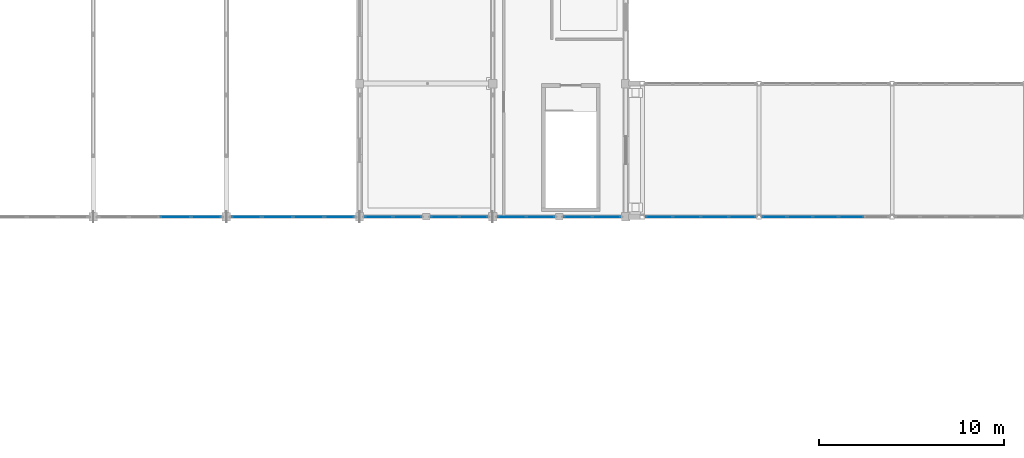
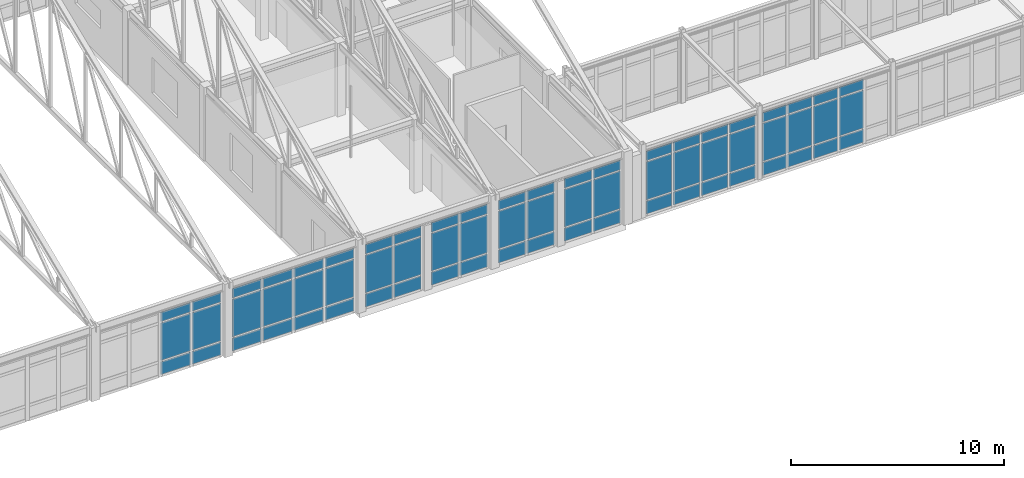
# One storey, part 79 of 136: 66 plates, 8 elements without a shape of their own.
"""IFC4 building model written with IfcOpenShell, lengths in metres."""

from ifc_helpers import new_model, si_unit, direction, frame, origin, origin_2d, place, context, subcontext, project, spatial, rectangle, extrude, material, layer, layer_set, type_object, element, aggregate, save


model = new_model("IFC4")

# Units and contexts
model_context = context("Model", 3, precision=1e-05, world=origin(), true_north=direction((0.0, 1.0)))
body_context = subcontext(model_context, "Body", "Model", "MODEL_VIEW")
ifc_project = project(units=[si_unit("LENGTHUNIT", "METRE"), si_unit("AREAUNIT", "SQUARE_METRE"), si_unit("VOLUMEUNIT", "CUBIC_METRE"), si_unit("PLANEANGLEUNIT", "RADIAN"), si_unit("MASSUNIT", "GRAM", prefix="KILO")], contexts=[model_context])

# Site, building, storey
site_placement = place(None, origin())
site = spatial("IfcSite", under=ifc_project, at=site_placement, CompositionType="ELEMENT")
building_placement = place(site_placement, origin())
building = spatial("IfcBuilding", under=site, at=building_placement, Name="Koriwan Promenade Central Fire Station", CompositionType="ELEMENT")
storey_placement = place(building_placement, frame((0.0, 0.0, 5.39990234375)))
storey = spatial("IfcBuildingStorey", under=building, at=storey_placement, Name="L01", CompositionType="ELEMENT", Elevation=5.39990234375)

# Curtain wall, plates
ifc_material_1 = material(Name="Aluminium EN AW-6063-T6 and low-E glazing", Category="aluminium")
ifc_layer_1 = layer(ifc_material_1, 0.159912109375, Name="Aluminium EN AW-6063-T6 and low-E glazing")
ifc_layer_set_1 = layer_set([ifc_layer_1], Name="Aluminium EN AW-6063-T6 and low-E glazing")
curtain_wall_type_1 = type_object("IfcCurtainWallType", Name="CurtainWall_93_675x372", PredefinedType="USERDEFINED", material=ifc_layer_set_1)
curtain_wall_1_placement = place(storey_placement, origin())
curtain_wall_1 = element("IfcCurtainWall", 1, at=curtain_wall_1_placement, inside=storey, type_object=curtain_wall_type_1, Name="V1 L01 unitised curtain wall 295", ObjectType="UNITISED CURTAIN WALL", PredefinedType="USERDEFINED")
ifc_material_2 = material(Name="Low-E laminated double glazing", Category="glass")
ifc_layer_2 = layer(ifc_material_2, 0.028076171875, Name="Low-E laminated double glazing")
ifc_layer_set_2 = layer_set([ifc_layer_2], Name="Low-E laminated double glazing")
plate_type_1 = type_object("IfcPlateType", Name="CWPanel_28", PredefinedType="CURTAIN_PANEL", material=ifc_layer_set_2)
plate_1_placement = place(storey_placement, frame((90.84375, 43.199951171875, 0.080078125), z_axis=(0.0, 0.0, 1.0), x_axis=(1.0, 0.0, 0.0)))
plate_1 = element("IfcPlate", 2, at=plate_1_placement, type_object=plate_type_1, Name="CW-93 panel 3.1", PredefinedType="CURTAIN_PANEL", context=body_context, shape_type="SweptSolid", body=[
    extrude(rectangle(XDim=1.607421875, YDim=0.028076171875, at=origin_2d()), origin(), (0.0, 0.0, 1.0), 0.72998046875),
])
plate_2_placement = place(storey_placement, frame((90.84375, 43.199951171875, 0.89013671875), z_axis=(0.0, 0.0, 1.0), x_axis=(1.0, 0.0, 0.0)))
plate_2 = element("IfcPlate", 3, at=plate_2_placement, type_object=plate_type_1, Name="CW-93 panel 3.2", PredefinedType="CURTAIN_PANEL", context=body_context, shape_type="SweptSolid", body=[
    extrude(rectangle(XDim=1.607421875, YDim=0.028076171875, at=origin_2d()), origin(), (0.0, 0.0, 1.0), 2.14111328125),
])
plate_3_placement = place(storey_placement, frame((90.84375, 43.199951171875, 3.11083984375), z_axis=(0.0, 0.0, 1.0), x_axis=(1.0, 0.0, 0.0)))
plate_3 = element("IfcPlate", 4, at=plate_3_placement, type_object=plate_type_1, Name="CW-93 panel 3.3", PredefinedType="CURTAIN_PANEL", context=body_context, shape_type="SweptSolid", body=[
    extrude(rectangle(XDim=1.607421875, YDim=0.028076171875, at=origin_2d()), origin(), (0.0, 0.0, 1.0), 0.530029296875),
])
plate_4_placement = place(storey_placement, frame((92.51123046875, 43.199951171875, 0.080078125), z_axis=(0.0, 0.0, 1.0), x_axis=(1.0, 0.0, 0.0)))
plate_4 = element("IfcPlate", 5, at=plate_4_placement, type_object=plate_type_1, Name="CW-93 panel 4.1", PredefinedType="CURTAIN_PANEL", context=body_context, shape_type="SweptSolid", body=[
    extrude(rectangle(XDim=1.5673828125, YDim=0.028076171875, at=origin_2d()), origin(), (0.0, 0.0, 1.0), 0.72998046875),
])
plate_5_placement = place(storey_placement, frame((92.51123046875, 43.199951171875, 0.89013671875), z_axis=(0.0, 0.0, 1.0), x_axis=(1.0, 0.0, 0.0)))
plate_5 = element("IfcPlate", 6, at=plate_5_placement, type_object=plate_type_1, Name="CW-93 panel 4.2", PredefinedType="CURTAIN_PANEL", context=body_context, shape_type="SweptSolid", body=[
    extrude(rectangle(XDim=1.5673828125, YDim=0.028076171875, at=origin_2d()), origin(), (0.0, 0.0, 1.0), 2.14111328125),
])
plate_6_placement = place(storey_placement, frame((92.51123046875, 43.199951171875, 3.11083984375), z_axis=(0.0, 0.0, 1.0), x_axis=(1.0, 0.0, 0.0)))
plate_6 = element("IfcPlate", 7, at=plate_6_placement, type_object=plate_type_1, Name="CW-93 panel 4.3", PredefinedType="CURTAIN_PANEL", context=body_context, shape_type="SweptSolid", body=[
    extrude(rectangle(XDim=1.5673828125, YDim=0.028076171875, at=origin_2d()), origin(), (0.0, 0.0, 1.0), 0.530029296875),
])
aggregate(curtain_wall_1, [plate_1, plate_2, plate_3, plate_4, plate_5, plate_6])

curtain_wall_2_placement = place(storey_placement, origin())
curtain_wall_2 = element("IfcCurtainWall", 8, at=curtain_wall_2_placement, inside=storey, type_object=curtain_wall_type_1, Name="V1 L01 unitised curtain wall 297", ObjectType="UNITISED CURTAIN WALL", PredefinedType="USERDEFINED")
plate_7_placement = place(storey_placement, frame((94.688720703125, 43.199951171875, 0.080078125), z_axis=(0.0, 0.0, 1.0), x_axis=(1.0, 0.0, 0.0)))
plate_7 = element("IfcPlate", 9, at=plate_7_placement, type_object=plate_type_1, Name="CW-93 panel 1.1", PredefinedType="CURTAIN_PANEL", context=body_context, shape_type="SweptSolid", body=[
    extrude(rectangle(XDim=1.5673828125, YDim=0.028076171875, at=origin_2d()), origin(), (0.0, 0.0, 1.0), 0.72998046875),
])
plate_8_placement = place(storey_placement, frame((94.688720703125, 43.199951171875, 0.89013671875), z_axis=(0.0, 0.0, 1.0), x_axis=(1.0, 0.0, 0.0)))
plate_8 = element("IfcPlate", 10, at=plate_8_placement, type_object=plate_type_1, Name="CW-93 panel 1.2", PredefinedType="CURTAIN_PANEL", context=body_context, shape_type="SweptSolid", body=[
    extrude(rectangle(XDim=1.5673828125, YDim=0.028076171875, at=origin_2d()), origin(), (0.0, 0.0, 1.0), 2.14111328125),
])
plate_9_placement = place(storey_placement, frame((94.688720703125, 43.199951171875, 3.11083984375), z_axis=(0.0, 0.0, 1.0), x_axis=(1.0, 0.0, 0.0)))
plate_9 = element("IfcPlate", 11, at=plate_9_placement, type_object=plate_type_1, Name="CW-93 panel 1.3", PredefinedType="CURTAIN_PANEL", context=body_context, shape_type="SweptSolid", body=[
    extrude(rectangle(XDim=1.5673828125, YDim=0.028076171875, at=origin_2d()), origin(), (0.0, 0.0, 1.0), 0.530029296875),
])
plate_10_placement = place(storey_placement, frame((96.356201171875, 43.199951171875, 0.080078125), z_axis=(0.0, 0.0, 1.0), x_axis=(1.0, 0.0, 0.0)))
plate_10 = element("IfcPlate", 12, at=plate_10_placement, type_object=plate_type_1, Name="CW-93 panel 2.1", PredefinedType="CURTAIN_PANEL", context=body_context, shape_type="SweptSolid", body=[
    extrude(rectangle(XDim=1.607421875, YDim=0.028076171875, at=origin_2d()), origin(), (0.0, 0.0, 1.0), 0.72998046875),
])
plate_11_placement = place(storey_placement, frame((96.356201171875, 43.199951171875, 0.89013671875), z_axis=(0.0, 0.0, 1.0), x_axis=(1.0, 0.0, 0.0)))
plate_11 = element("IfcPlate", 13, at=plate_11_placement, type_object=plate_type_1, Name="CW-93 panel 2.2", PredefinedType="CURTAIN_PANEL", context=body_context, shape_type="SweptSolid", body=[
    extrude(rectangle(XDim=1.607421875, YDim=0.028076171875, at=origin_2d()), origin(), (0.0, 0.0, 1.0), 2.14111328125),
])
plate_12_placement = place(storey_placement, frame((96.356201171875, 43.199951171875, 3.11083984375), z_axis=(0.0, 0.0, 1.0), x_axis=(1.0, 0.0, 0.0)))
plate_12 = element("IfcPlate", 14, at=plate_12_placement, type_object=plate_type_1, Name="CW-93 panel 2.3", PredefinedType="CURTAIN_PANEL", context=body_context, shape_type="SweptSolid", body=[
    extrude(rectangle(XDim=1.607421875, YDim=0.028076171875, at=origin_2d()), origin(), (0.0, 0.0, 1.0), 0.530029296875),
])
plate_13_placement = place(storey_placement, frame((98.043701171875, 43.199951171875, 0.080078125), z_axis=(0.0, 0.0, 1.0), x_axis=(1.0, 0.0, 0.0)))
plate_13 = element("IfcPlate", 15, at=plate_13_placement, type_object=plate_type_1, Name="CW-93 panel 3.1", PredefinedType="CURTAIN_PANEL", context=body_context, shape_type="SweptSolid", body=[
    extrude(rectangle(XDim=1.607421875, YDim=0.028076171875, at=origin_2d()), origin(), (0.0, 0.0, 1.0), 0.72998046875),
])
plate_14_placement = place(storey_placement, frame((98.043701171875, 43.199951171875, 0.89013671875), z_axis=(0.0, 0.0, 1.0), x_axis=(1.0, 0.0, 0.0)))
plate_14 = element("IfcPlate", 16, at=plate_14_placement, type_object=plate_type_1, Name="CW-93 panel 3.2", PredefinedType="CURTAIN_PANEL", context=body_context, shape_type="SweptSolid", body=[
    extrude(rectangle(XDim=1.607421875, YDim=0.028076171875, at=origin_2d()), origin(), (0.0, 0.0, 1.0), 2.14111328125),
])
plate_15_placement = place(storey_placement, frame((98.043701171875, 43.199951171875, 3.11083984375), z_axis=(0.0, 0.0, 1.0), x_axis=(1.0, 0.0, 0.0)))
plate_15 = element("IfcPlate", 17, at=plate_15_placement, type_object=plate_type_1, Name="CW-93 panel 3.3", PredefinedType="CURTAIN_PANEL", context=body_context, shape_type="SweptSolid", body=[
    extrude(rectangle(XDim=1.607421875, YDim=0.028076171875, at=origin_2d()), origin(), (0.0, 0.0, 1.0), 0.530029296875),
])
plate_16_placement = place(storey_placement, frame((99.711181640625, 43.199951171875, 0.080078125), z_axis=(0.0, 0.0, 1.0), x_axis=(1.0, 0.0, 0.0)))
plate_16 = element("IfcPlate", 18, at=plate_16_placement, type_object=plate_type_1, Name="CW-93 panel 4.1", PredefinedType="CURTAIN_PANEL", context=body_context, shape_type="SweptSolid", body=[
    extrude(rectangle(XDim=1.5673828125, YDim=0.028076171875, at=origin_2d()), origin(), (0.0, 0.0, 1.0), 0.72998046875),
])
plate_17_placement = place(storey_placement, frame((99.711181640625, 43.199951171875, 0.89013671875), z_axis=(0.0, 0.0, 1.0), x_axis=(1.0, 0.0, 0.0)))
plate_17 = element("IfcPlate", 19, at=plate_17_placement, type_object=plate_type_1, Name="CW-93 panel 4.2", PredefinedType="CURTAIN_PANEL", context=body_context, shape_type="SweptSolid", body=[
    extrude(rectangle(XDim=1.5673828125, YDim=0.028076171875, at=origin_2d()), origin(), (0.0, 0.0, 1.0), 2.14111328125),
])
plate_18_placement = place(storey_placement, frame((99.711181640625, 43.199951171875, 3.11083984375), z_axis=(0.0, 0.0, 1.0), x_axis=(1.0, 0.0, 0.0)))
plate_18 = element("IfcPlate", 20, at=plate_18_placement, type_object=plate_type_1, Name="CW-93 panel 4.3", PredefinedType="CURTAIN_PANEL", context=body_context, shape_type="SweptSolid", body=[
    extrude(rectangle(XDim=1.5673828125, YDim=0.028076171875, at=origin_2d()), origin(), (0.0, 0.0, 1.0), 0.530029296875),
])
aggregate(curtain_wall_2, [plate_7, plate_8, plate_9, plate_10, plate_11, plate_12, plate_13, plate_14, plate_15, plate_16, plate_17, plate_18])

ifc_layer_3 = layer(ifc_material_1, 0.159912109375, Name="Aluminium EN AW-6063-T6 and low-E glazing")
ifc_layer_set_3 = layer_set([ifc_layer_3], Name="Aluminium EN AW-6063-T6 and low-E glazing")
curtain_wall_type_2 = type_object("IfcCurtainWallType", Name="CurtainWall_01_317x372", PredefinedType="USERDEFINED", material=ifc_layer_set_3)
curtain_wall_3_placement = place(storey_placement, origin())
curtain_wall_3 = element("IfcCurtainWall", 21, at=curtain_wall_3_placement, inside=storey, type_object=curtain_wall_type_2, Name="V1 L01 unitised curtain wall 009", ObjectType="UNITISED CURTAIN WALL", PredefinedType="USERDEFINED")
ifc_material_3 = material(Name="Solar-control low-E acoustic glazing", Category="glass")
ifc_layer_4 = layer(ifc_material_3, 0.031982421875, Name="Solar-control low-E acoustic glazing")
ifc_layer_set_4 = layer_set([ifc_layer_4], Name="Solar-control low-E acoustic glazing")
plate_type_2 = type_object("IfcPlateType", Name="CWPanel_32", PredefinedType="CURTAIN_PANEL", material=ifc_layer_set_4)
plate_19_placement = place(storey_placement, frame((114.16259765625, 43.199951171875, 0.0751953125), z_axis=(0.0, 0.0, 1.0), x_axis=(-1.0, 0.0, 0.0)))
plate_19 = element("IfcPlate", 22, at=plate_19_placement, type_object=plate_type_2, Name="CW-01 panel 1.1", PredefinedType="CURTAIN_PANEL", context=body_context, shape_type="SweptSolid", body=[
    extrude(rectangle(XDim=1.47509765625, YDim=0.031982421875, at=origin_2d()), origin(), (0.0, 0.0, 1.0), 0.737548828125),
])
plate_20_placement = place(storey_placement, frame((114.16259765625, 43.199951171875, 0.8876953125), z_axis=(0.0, 0.0, 1.0), x_axis=(-1.0, 0.0, 0.0)))
plate_20 = element("IfcPlate", 23, at=plate_20_placement, type_object=plate_type_2, Name="CW-01 panel 1.2", PredefinedType="CURTAIN_PANEL", context=body_context, shape_type="SweptSolid", body=[
    extrude(rectangle(XDim=1.47509765625, YDim=0.031982421875, at=origin_2d()), origin(), (0.0, 0.0, 1.0), 2.14599609375),
])
plate_21_placement = place(storey_placement, frame((114.16259765625, 43.199951171875, 3.108642578125), z_axis=(0.0, 0.0, 1.0), x_axis=(-1.0, 0.0, 0.0)))
plate_21 = element("IfcPlate", 24, at=plate_21_placement, type_object=plate_type_2, Name="CW-01 panel 1.3", PredefinedType="CURTAIN_PANEL", context=body_context, shape_type="SweptSolid", body=[
    extrude(rectangle(XDim=1.47509765625, YDim=0.031982421875, at=origin_2d()), origin(), (0.0, 0.0, 1.0), 0.53759765625),
])
plate_22_placement = place(storey_placement, frame((112.612548828125, 43.199951171875, 0.0751953125), z_axis=(0.0, 0.0, 1.0), x_axis=(-1.0, 0.0, 0.0)))
plate_22 = element("IfcPlate", 25, at=plate_22_placement, type_object=plate_type_2, Name="CW-01 panel 2.1", PredefinedType="CURTAIN_PANEL", context=body_context, shape_type="SweptSolid", body=[
    extrude(rectangle(XDim=1.47509765625, YDim=0.031982421875, at=origin_2d()), origin(), (0.0, 0.0, 1.0), 0.737548828125),
])
plate_23_placement = place(storey_placement, frame((112.612548828125, 43.199951171875, 0.8876953125), z_axis=(0.0, 0.0, 1.0), x_axis=(-1.0, 0.0, 0.0)))
plate_23 = element("IfcPlate", 26, at=plate_23_placement, type_object=plate_type_2, Name="CW-01 panel 2.2", PredefinedType="CURTAIN_PANEL", context=body_context, shape_type="SweptSolid", body=[
    extrude(rectangle(XDim=1.47509765625, YDim=0.031982421875, at=origin_2d()), origin(), (0.0, 0.0, 1.0), 2.14599609375),
])
plate_24_placement = place(storey_placement, frame((112.612548828125, 43.199951171875, 3.108642578125), z_axis=(0.0, 0.0, 1.0), x_axis=(-1.0, 0.0, 0.0)))
plate_24 = element("IfcPlate", 27, at=plate_24_placement, type_object=plate_type_2, Name="CW-01 panel 2.3", PredefinedType="CURTAIN_PANEL", context=body_context, shape_type="SweptSolid", body=[
    extrude(rectangle(XDim=1.47509765625, YDim=0.031982421875, at=origin_2d()), origin(), (0.0, 0.0, 1.0), 0.53759765625),
])
aggregate(curtain_wall_3, [plate_19, plate_20, plate_21, plate_22, plate_23, plate_24])

ifc_layer_5 = layer(ifc_material_1, 0.159912109375, Name="Aluminium EN AW-6063-T6 and low-E glazing")
ifc_layer_set_5 = layer_set([ifc_layer_5], Name="Aluminium EN AW-6063-T6 and low-E glazing")
curtain_wall_type_3 = type_object("IfcCurtainWallType", Name="CurtainWall_02_318x372", PredefinedType="USERDEFINED", material=ifc_layer_set_5)
curtain_wall_4_placement = place(storey_placement, origin())
curtain_wall_4 = element("IfcCurtainWall", 28, at=curtain_wall_4_placement, inside=storey, type_object=curtain_wall_type_3, Name="V1 L01 unitised curtain wall 010", ObjectType="UNITISED CURTAIN WALL", PredefinedType="USERDEFINED")
plate_25_placement = place(storey_placement, frame((110.58740234375, 43.199951171875, 0.0751953125), z_axis=(0.0, 0.0, 1.0), x_axis=(-1.0, 0.0, 0.0)))
plate_25 = element("IfcPlate", 29, at=plate_25_placement, type_object=plate_type_2, Name="CW-02 panel 1.1", PredefinedType="CURTAIN_PANEL", context=body_context, shape_type="SweptSolid", body=[
    extrude(rectangle(XDim=1.47509765625, YDim=0.031982421875, at=origin_2d()), origin(), (0.0, 0.0, 1.0), 0.737548828125),
])
plate_26_placement = place(storey_placement, frame((110.58740234375, 43.199951171875, 0.8876953125), z_axis=(0.0, 0.0, 1.0), x_axis=(-1.0, 0.0, 0.0)))
plate_26 = element("IfcPlate", 30, at=plate_26_placement, type_object=plate_type_2, Name="CW-02 panel 1.2", PredefinedType="CURTAIN_PANEL", context=body_context, shape_type="SweptSolid", body=[
    extrude(rectangle(XDim=1.47509765625, YDim=0.031982421875, at=origin_2d()), origin(), (0.0, 0.0, 1.0), 2.14599609375),
])
plate_27_placement = place(storey_placement, frame((110.58740234375, 43.199951171875, 3.108642578125), z_axis=(0.0, 0.0, 1.0), x_axis=(-1.0, 0.0, 0.0)))
plate_27 = element("IfcPlate", 31, at=plate_27_placement, type_object=plate_type_2, Name="CW-02 panel 1.3", PredefinedType="CURTAIN_PANEL", context=body_context, shape_type="SweptSolid", body=[
    extrude(rectangle(XDim=1.47509765625, YDim=0.031982421875, at=origin_2d()), origin(), (0.0, 0.0, 1.0), 0.53759765625),
])
plate_28_placement = place(storey_placement, frame((109.03759765625, 43.199951171875, 0.0751953125), z_axis=(0.0, 0.0, 1.0), x_axis=(-1.0, 0.0, 0.0)))
plate_28 = element("IfcPlate", 32, at=plate_28_placement, type_object=plate_type_2, Name="CW-02 panel 2.1", PredefinedType="CURTAIN_PANEL", context=body_context, shape_type="SweptSolid", body=[
    extrude(rectangle(XDim=1.47509765625, YDim=0.031982421875, at=origin_2d()), origin(), (0.0, 0.0, 1.0), 0.737548828125),
])
plate_29_placement = place(storey_placement, frame((109.03759765625, 43.199951171875, 0.8876953125), z_axis=(0.0, 0.0, 1.0), x_axis=(-1.0, 0.0, 0.0)))
plate_29 = element("IfcPlate", 33, at=plate_29_placement, type_object=plate_type_2, Name="CW-02 panel 2.2", PredefinedType="CURTAIN_PANEL", context=body_context, shape_type="SweptSolid", body=[
    extrude(rectangle(XDim=1.47509765625, YDim=0.031982421875, at=origin_2d()), origin(), (0.0, 0.0, 1.0), 2.14599609375),
])
plate_30_placement = place(storey_placement, frame((109.03759765625, 43.199951171875, 3.108642578125), z_axis=(0.0, 0.0, 1.0), x_axis=(-1.0, 0.0, 0.0)))
plate_30 = element("IfcPlate", 34, at=plate_30_placement, type_object=plate_type_2, Name="CW-02 panel 2.3", PredefinedType="CURTAIN_PANEL", context=body_context, shape_type="SweptSolid", body=[
    extrude(rectangle(XDim=1.47509765625, YDim=0.031982421875, at=origin_2d()), origin(), (0.0, 0.0, 1.0), 0.53759765625),
])
aggregate(curtain_wall_4, [plate_25, plate_26, plate_27, plate_28, plate_29, plate_30])

curtain_wall_5_placement = place(storey_placement, origin())
curtain_wall_5 = element("IfcCurtainWall", 35, at=curtain_wall_5_placement, inside=storey, type_object=curtain_wall_type_3, Name="V1 L01 unitised curtain wall 011", ObjectType="UNITISED CURTAIN WALL", PredefinedType="USERDEFINED")
plate_31_placement = place(storey_placement, frame((106.96240234375, 43.199951171875, 0.0751953125), z_axis=(0.0, 0.0, 1.0), x_axis=(-1.0, 0.0, 0.0)))
plate_31 = element("IfcPlate", 36, at=plate_31_placement, type_object=plate_type_2, Name="CW-02 panel 1.1", PredefinedType="CURTAIN_PANEL", context=body_context, shape_type="SweptSolid", body=[
    extrude(rectangle(XDim=1.47509765625, YDim=0.031982421875, at=origin_2d()), origin(), (0.0, 0.0, 1.0), 0.737548828125),
])
plate_32_placement = place(storey_placement, frame((106.96240234375, 43.199951171875, 0.8876953125), z_axis=(0.0, 0.0, 1.0), x_axis=(-1.0, 0.0, 0.0)))
plate_32 = element("IfcPlate", 37, at=plate_32_placement, type_object=plate_type_2, Name="CW-02 panel 1.2", PredefinedType="CURTAIN_PANEL", context=body_context, shape_type="SweptSolid", body=[
    extrude(rectangle(XDim=1.47509765625, YDim=0.031982421875, at=origin_2d()), origin(), (0.0, 0.0, 1.0), 2.14599609375),
])
plate_33_placement = place(storey_placement, frame((106.96240234375, 43.199951171875, 3.108642578125), z_axis=(0.0, 0.0, 1.0), x_axis=(-1.0, 0.0, 0.0)))
plate_33 = element("IfcPlate", 38, at=plate_33_placement, type_object=plate_type_2, Name="CW-02 panel 1.3", PredefinedType="CURTAIN_PANEL", context=body_context, shape_type="SweptSolid", body=[
    extrude(rectangle(XDim=1.47509765625, YDim=0.031982421875, at=origin_2d()), origin(), (0.0, 0.0, 1.0), 0.53759765625),
])
plate_34_placement = place(storey_placement, frame((105.41259765625, 43.199951171875, 0.0751953125), z_axis=(0.0, 0.0, 1.0), x_axis=(-1.0, 0.0, 0.0)))
plate_34 = element("IfcPlate", 39, at=plate_34_placement, type_object=plate_type_2, Name="CW-02 panel 2.1", PredefinedType="CURTAIN_PANEL", context=body_context, shape_type="SweptSolid", body=[
    extrude(rectangle(XDim=1.47509765625, YDim=0.031982421875, at=origin_2d()), origin(), (0.0, 0.0, 1.0), 0.737548828125),
])
plate_35_placement = place(storey_placement, frame((105.41259765625, 43.199951171875, 0.8876953125), z_axis=(0.0, 0.0, 1.0), x_axis=(-1.0, 0.0, 0.0)))
plate_35 = element("IfcPlate", 40, at=plate_35_placement, type_object=plate_type_2, Name="CW-02 panel 2.2", PredefinedType="CURTAIN_PANEL", context=body_context, shape_type="SweptSolid", body=[
    extrude(rectangle(XDim=1.47509765625, YDim=0.031982421875, at=origin_2d()), origin(), (0.0, 0.0, 1.0), 2.14599609375),
])
plate_36_placement = place(storey_placement, frame((105.41259765625, 43.199951171875, 3.108642578125), z_axis=(0.0, 0.0, 1.0), x_axis=(-1.0, 0.0, 0.0)))
plate_36 = element("IfcPlate", 41, at=plate_36_placement, type_object=plate_type_2, Name="CW-02 panel 2.3", PredefinedType="CURTAIN_PANEL", context=body_context, shape_type="SweptSolid", body=[
    extrude(rectangle(XDim=1.47509765625, YDim=0.031982421875, at=origin_2d()), origin(), (0.0, 0.0, 1.0), 0.53759765625),
])
aggregate(curtain_wall_5, [plate_31, plate_32, plate_33, plate_34, plate_35, plate_36])

curtain_wall_6_placement = place(storey_placement, origin())
curtain_wall_6 = element("IfcCurtainWall", 42, at=curtain_wall_6_placement, inside=storey, type_object=curtain_wall_type_2, Name="V1 L01 unitised curtain wall 012", ObjectType="UNITISED CURTAIN WALL", PredefinedType="USERDEFINED")
plate_37_placement = place(storey_placement, frame((103.387451171875, 43.199951171875, 0.0751953125), z_axis=(0.0, 0.0, 1.0), x_axis=(-1.0, 0.0, 0.0)))
plate_37 = element("IfcPlate", 43, at=plate_37_placement, type_object=plate_type_2, Name="CW-01 panel 1.1", PredefinedType="CURTAIN_PANEL", context=body_context, shape_type="SweptSolid", body=[
    extrude(rectangle(XDim=1.47509765625, YDim=0.031982421875, at=origin_2d()), origin(), (0.0, 0.0, 1.0), 0.737548828125),
])
plate_38_placement = place(storey_placement, frame((103.387451171875, 43.199951171875, 0.8876953125), z_axis=(0.0, 0.0, 1.0), x_axis=(-1.0, 0.0, 0.0)))
plate_38 = element("IfcPlate", 44, at=plate_38_placement, type_object=plate_type_2, Name="CW-01 panel 1.2", PredefinedType="CURTAIN_PANEL", context=body_context, shape_type="SweptSolid", body=[
    extrude(rectangle(XDim=1.47509765625, YDim=0.031982421875, at=origin_2d()), origin(), (0.0, 0.0, 1.0), 2.14599609375),
])
plate_39_placement = place(storey_placement, frame((103.387451171875, 43.199951171875, 3.108642578125), z_axis=(0.0, 0.0, 1.0), x_axis=(-1.0, 0.0, 0.0)))
plate_39 = element("IfcPlate", 45, at=plate_39_placement, type_object=plate_type_2, Name="CW-01 panel 1.3", PredefinedType="CURTAIN_PANEL", context=body_context, shape_type="SweptSolid", body=[
    extrude(rectangle(XDim=1.47509765625, YDim=0.031982421875, at=origin_2d()), origin(), (0.0, 0.0, 1.0), 0.53759765625),
])
plate_40_placement = place(storey_placement, frame((101.83740234375, 43.199951171875, 0.0751953125), z_axis=(0.0, 0.0, 1.0), x_axis=(-1.0, 0.0, 0.0)))
plate_40 = element("IfcPlate", 46, at=plate_40_placement, type_object=plate_type_2, Name="CW-01 panel 2.1", PredefinedType="CURTAIN_PANEL", context=body_context, shape_type="SweptSolid", body=[
    extrude(rectangle(XDim=1.47509765625, YDim=0.031982421875, at=origin_2d()), origin(), (0.0, 0.0, 1.0), 0.737548828125),
])
plate_41_placement = place(storey_placement, frame((101.83740234375, 43.199951171875, 0.8876953125), z_axis=(0.0, 0.0, 1.0), x_axis=(-1.0, 0.0, 0.0)))
plate_41 = element("IfcPlate", 47, at=plate_41_placement, type_object=plate_type_2, Name="CW-01 panel 2.2", PredefinedType="CURTAIN_PANEL", context=body_context, shape_type="SweptSolid", body=[
    extrude(rectangle(XDim=1.47509765625, YDim=0.031982421875, at=origin_2d()), origin(), (0.0, 0.0, 1.0), 2.14599609375),
])
plate_42_placement = place(storey_placement, frame((101.83740234375, 43.199951171875, 3.108642578125), z_axis=(0.0, 0.0, 1.0), x_axis=(-1.0, 0.0, 0.0)))
plate_42 = element("IfcPlate", 48, at=plate_42_placement, type_object=plate_type_2, Name="CW-01 panel 2.3", PredefinedType="CURTAIN_PANEL", context=body_context, shape_type="SweptSolid", body=[
    extrude(rectangle(XDim=1.47509765625, YDim=0.031982421875, at=origin_2d()), origin(), (0.0, 0.0, 1.0), 0.53759765625),
])
aggregate(curtain_wall_6, [plate_37, plate_38, plate_39, plate_40, plate_41, plate_42])

ifc_layer_6 = layer(ifc_material_1, 0.159912109375, Name="Aluminium EN AW-6063-T6 and low-E glazing")
ifc_layer_set_6 = layer_set([ifc_layer_6], Name="Aluminium EN AW-6063-T6 and low-E glazing")
curtain_wall_type_4 = type_object("IfcCurtainWallType", Name="CurtainWall_97_605x374", PredefinedType="USERDEFINED", material=ifc_layer_set_6)
curtain_wall_7_placement = place(storey_placement, origin())
curtain_wall_7 = element("IfcCurtainWall", 49, at=curtain_wall_7_placement, inside=storey, type_object=curtain_wall_type_4, Name="V5 L01 unitised curtain wall 308", ObjectType="UNITISED CURTAIN WALL", PredefinedType="USERDEFINED")
plate_43_placement = place(storey_placement, frame((117.0, 43.199951171875, 0.0751953125), z_axis=(0.0, 0.0, 1.0), x_axis=(1.0, 0.0, 0.0)))
plate_43 = element("IfcPlate", 50, at=plate_43_placement, type_object=plate_type_2, Name="CW-97 panel 1.1", PredefinedType="CURTAIN_PANEL", context=body_context, shape_type="SweptSolid", body=[
    extrude(rectangle(XDim=1.39990234375, YDim=0.031982421875, at=origin_2d()), origin(), (0.0, 0.0, 1.0), 0.737548828125),
])
plate_44_placement = place(storey_placement, frame((117.0, 43.199951171875, 0.8876953125), z_axis=(0.0, 0.0, 1.0), x_axis=(1.0, 0.0, 0.0)))
plate_44 = element("IfcPlate", 51, at=plate_44_placement, type_object=plate_type_2, Name="CW-97 panel 1.2", PredefinedType="CURTAIN_PANEL", context=body_context, shape_type="SweptSolid", body=[
    extrude(rectangle(XDim=1.39990234375, YDim=0.031982421875, at=origin_2d()), origin(), (0.0, 0.0, 1.0), 2.1650390625),
])
plate_45_placement = place(storey_placement, frame((117.0, 43.199951171875, 3.12744140625), z_axis=(0.0, 0.0, 1.0), x_axis=(1.0, 0.0, 0.0)))
plate_45 = element("IfcPlate", 52, at=plate_45_placement, type_object=plate_type_2, Name="CW-97 panel 1.3", PredefinedType="CURTAIN_PANEL", context=body_context, shape_type="SweptSolid", body=[
    extrude(rectangle(XDim=1.39990234375, YDim=0.031982421875, at=origin_2d()), origin(), (0.0, 0.0, 1.0), 0.53759765625),
])
plate_46_placement = place(storey_placement, frame((118.49365234375, 43.199951171875, 0.0751953125), z_axis=(0.0, 0.0, 1.0), x_axis=(1.0, 0.0, 0.0)))
plate_46 = element("IfcPlate", 53, at=plate_46_placement, type_object=plate_type_2, Name="CW-97 panel 2.1", PredefinedType="CURTAIN_PANEL", context=body_context, shape_type="SweptSolid", body=[
    extrude(rectangle(XDim=1.4375, YDim=0.031982421875, at=origin_2d()), origin(), (0.0, 0.0, 1.0), 0.737548828125),
])
plate_47_placement = place(storey_placement, frame((118.49365234375, 43.199951171875, 0.8876953125), z_axis=(0.0, 0.0, 1.0), x_axis=(1.0, 0.0, 0.0)))
plate_47 = element("IfcPlate", 54, at=plate_47_placement, type_object=plate_type_2, Name="CW-97 panel 2.2", PredefinedType="CURTAIN_PANEL", context=body_context, shape_type="SweptSolid", body=[
    extrude(rectangle(XDim=1.4375, YDim=0.031982421875, at=origin_2d()), origin(), (0.0, 0.0, 1.0), 2.1650390625),
])
plate_48_placement = place(storey_placement, frame((118.49365234375, 43.199951171875, 3.12744140625), z_axis=(0.0, 0.0, 1.0), x_axis=(1.0, 0.0, 0.0)))
plate_48 = element("IfcPlate", 55, at=plate_48_placement, type_object=plate_type_2, Name="CW-97 panel 2.3", PredefinedType="CURTAIN_PANEL", context=body_context, shape_type="SweptSolid", body=[
    extrude(rectangle(XDim=1.4375, YDim=0.031982421875, at=origin_2d()), origin(), (0.0, 0.0, 1.0), 0.53759765625),
])
plate_49_placement = place(storey_placement, frame((120.00634765625, 43.199951171875, 0.0751953125), z_axis=(0.0, 0.0, 1.0), x_axis=(1.0, 0.0, 0.0)))
plate_49 = element("IfcPlate", 56, at=plate_49_placement, type_object=plate_type_2, Name="CW-97 panel 3.1", PredefinedType="CURTAIN_PANEL", context=body_context, shape_type="SweptSolid", body=[
    extrude(rectangle(XDim=1.4375, YDim=0.031982421875, at=origin_2d()), origin(), (0.0, 0.0, 1.0), 0.737548828125),
])
plate_50_placement = place(storey_placement, frame((120.00634765625, 43.199951171875, 0.8876953125), z_axis=(0.0, 0.0, 1.0), x_axis=(1.0, 0.0, 0.0)))
plate_50 = element("IfcPlate", 57, at=plate_50_placement, type_object=plate_type_2, Name="CW-97 panel 3.2", PredefinedType="CURTAIN_PANEL", context=body_context, shape_type="SweptSolid", body=[
    extrude(rectangle(XDim=1.4375, YDim=0.031982421875, at=origin_2d()), origin(), (0.0, 0.0, 1.0), 2.1650390625),
])
plate_51_placement = place(storey_placement, frame((120.00634765625, 43.199951171875, 3.12744140625), z_axis=(0.0, 0.0, 1.0), x_axis=(1.0, 0.0, 0.0)))
plate_51 = element("IfcPlate", 58, at=plate_51_placement, type_object=plate_type_2, Name="CW-97 panel 3.3", PredefinedType="CURTAIN_PANEL", context=body_context, shape_type="SweptSolid", body=[
    extrude(rectangle(XDim=1.4375, YDim=0.031982421875, at=origin_2d()), origin(), (0.0, 0.0, 1.0), 0.53759765625),
])
plate_52_placement = place(storey_placement, frame((121.5, 43.199951171875, 0.0751953125), z_axis=(0.0, 0.0, 1.0), x_axis=(1.0, 0.0, 0.0)))
plate_52 = element("IfcPlate", 59, at=plate_52_placement, type_object=plate_type_2, Name="CW-97 panel 4.1", PredefinedType="CURTAIN_PANEL", context=body_context, shape_type="SweptSolid", body=[
    extrude(rectangle(XDim=1.39990234375, YDim=0.031982421875, at=origin_2d()), origin(), (0.0, 0.0, 1.0), 0.737548828125),
])
plate_53_placement = place(storey_placement, frame((121.5, 43.199951171875, 0.8876953125), z_axis=(0.0, 0.0, 1.0), x_axis=(1.0, 0.0, 0.0)))
plate_53 = element("IfcPlate", 60, at=plate_53_placement, type_object=plate_type_2, Name="CW-97 panel 4.2", PredefinedType="CURTAIN_PANEL", context=body_context, shape_type="SweptSolid", body=[
    extrude(rectangle(XDim=1.39990234375, YDim=0.031982421875, at=origin_2d()), origin(), (0.0, 0.0, 1.0), 2.1650390625),
])
plate_54_placement = place(storey_placement, frame((121.5, 43.199951171875, 3.12744140625), z_axis=(0.0, 0.0, 1.0), x_axis=(1.0, 0.0, 0.0)))
plate_54 = element("IfcPlate", 61, at=plate_54_placement, type_object=plate_type_2, Name="CW-97 panel 4.3", PredefinedType="CURTAIN_PANEL", context=body_context, shape_type="SweptSolid", body=[
    extrude(rectangle(XDim=1.39990234375, YDim=0.031982421875, at=origin_2d()), origin(), (0.0, 0.0, 1.0), 0.53759765625),
])
aggregate(curtain_wall_7, [plate_43, plate_44, plate_45, plate_46, plate_47, plate_48, plate_49, plate_50, plate_51, plate_52, plate_53, plate_54])

ifc_layer_7 = layer(ifc_material_1, 0.159912109375, Name="Aluminium EN AW-6063-T6 and low-E glazing")
ifc_layer_set_7 = layer_set([ifc_layer_7], Name="Aluminium EN AW-6063-T6 and low-E glazing")
curtain_wall_type_5 = type_object("IfcCurtainWallType", Name="CurtainWall_98_695x374", PredefinedType="USERDEFINED", material=ifc_layer_set_7)
curtain_wall_8_placement = place(storey_placement, origin())
curtain_wall_8 = element("IfcCurtainWall", 62, at=curtain_wall_8_placement, inside=storey, type_object=curtain_wall_type_5, Name="V5 L01 unitised curtain wall 310", ObjectType="UNITISED CURTAIN WALL", PredefinedType="USERDEFINED")
plate_55_placement = place(storey_placement, frame((123.23876953125, 43.199951171875, 0.0751953125), z_axis=(0.0, 0.0, 1.0), x_axis=(1.0, 0.0, 0.0)))
plate_55 = element("IfcPlate", 63, at=plate_55_placement, type_object=plate_type_2, Name="CW-98 panel 1.1", PredefinedType="CURTAIN_PANEL", context=body_context, shape_type="SweptSolid", body=[
    extrude(rectangle(XDim=1.277587890625, YDim=0.031982421875, at=origin_2d()), origin(), (0.0, 0.0, 1.0), 0.737548828125),
])
plate_56_placement = place(storey_placement, frame((123.23876953125, 43.199951171875, 0.8876953125), z_axis=(0.0, 0.0, 1.0), x_axis=(1.0, 0.0, 0.0)))
plate_56 = element("IfcPlate", 64, at=plate_56_placement, type_object=plate_type_2, Name="CW-98 panel 1.2", PredefinedType="CURTAIN_PANEL", context=body_context, shape_type="SweptSolid", body=[
    extrude(rectangle(XDim=1.277587890625, YDim=0.031982421875, at=origin_2d()), origin(), (0.0, 0.0, 1.0), 2.1650390625),
])
plate_57_placement = place(storey_placement, frame((123.23876953125, 43.199951171875, 3.12744140625), z_axis=(0.0, 0.0, 1.0), x_axis=(1.0, 0.0, 0.0)))
plate_57 = element("IfcPlate", 65, at=plate_57_placement, type_object=plate_type_2, Name="CW-98 panel 1.3", PredefinedType="CURTAIN_PANEL", context=body_context, shape_type="SweptSolid", body=[
    extrude(rectangle(XDim=1.277587890625, YDim=0.031982421875, at=origin_2d()), origin(), (0.0, 0.0, 1.0), 0.53759765625),
])
plate_58_placement = place(storey_placement, frame((124.610107421875, 43.199951171875, 0.0751953125), z_axis=(0.0, 0.0, 1.0), x_axis=(1.0, 0.0, 0.0)))
plate_58 = element("IfcPlate", 66, at=plate_58_placement, type_object=plate_type_2, Name="CW-98 panel 2.1", PredefinedType="CURTAIN_PANEL", context=body_context, shape_type="SweptSolid", body=[
    extrude(rectangle(XDim=1.31494140625, YDim=0.031982421875, at=origin_2d()), origin(), (0.0, 0.0, 1.0), 0.737548828125),
])
plate_59_placement = place(storey_placement, frame((124.610107421875, 43.199951171875, 0.8876953125), z_axis=(0.0, 0.0, 1.0), x_axis=(1.0, 0.0, 0.0)))
plate_59 = element("IfcPlate", 67, at=plate_59_placement, type_object=plate_type_2, Name="CW-98 panel 2.2", PredefinedType="CURTAIN_PANEL", context=body_context, shape_type="SweptSolid", body=[
    extrude(rectangle(XDim=1.31494140625, YDim=0.031982421875, at=origin_2d()), origin(), (0.0, 0.0, 1.0), 2.1650390625),
])
plate_60_placement = place(storey_placement, frame((124.610107421875, 43.199951171875, 3.12744140625), z_axis=(0.0, 0.0, 1.0), x_axis=(1.0, 0.0, 0.0)))
plate_60 = element("IfcPlate", 68, at=plate_60_placement, type_object=plate_type_2, Name="CW-98 panel 2.3", PredefinedType="CURTAIN_PANEL", context=body_context, shape_type="SweptSolid", body=[
    extrude(rectangle(XDim=1.31494140625, YDim=0.031982421875, at=origin_2d()), origin(), (0.0, 0.0, 1.0), 0.53759765625),
])
plate_61_placement = place(storey_placement, frame((126.0, 43.199951171875, 0.0751953125), z_axis=(0.0, 0.0, 1.0), x_axis=(1.0, 0.0, 0.0)))
plate_61 = element("IfcPlate", 69, at=plate_61_placement, type_object=plate_type_2, Name="CW-98 panel 3.1", PredefinedType="CURTAIN_PANEL", context=body_context, shape_type="SweptSolid", body=[
    extrude(rectangle(XDim=1.31494140625, YDim=0.031982421875, at=origin_2d()), origin(), (0.0, 0.0, 1.0), 0.737548828125),
])
plate_62_placement = place(storey_placement, frame((126.0, 43.199951171875, 0.8876953125), z_axis=(0.0, 0.0, 1.0), x_axis=(1.0, 0.0, 0.0)))
plate_62 = element("IfcPlate", 70, at=plate_62_placement, type_object=plate_type_2, Name="CW-98 panel 3.2", PredefinedType="CURTAIN_PANEL", context=body_context, shape_type="SweptSolid", body=[
    extrude(rectangle(XDim=1.31494140625, YDim=0.031982421875, at=origin_2d()), origin(), (0.0, 0.0, 1.0), 2.1650390625),
])
plate_63_placement = place(storey_placement, frame((126.0, 43.199951171875, 3.12744140625), z_axis=(0.0, 0.0, 1.0), x_axis=(1.0, 0.0, 0.0)))
plate_63 = element("IfcPlate", 71, at=plate_63_placement, type_object=plate_type_2, Name="CW-98 panel 3.3", PredefinedType="CURTAIN_PANEL", context=body_context, shape_type="SweptSolid", body=[
    extrude(rectangle(XDim=1.31494140625, YDim=0.031982421875, at=origin_2d()), origin(), (0.0, 0.0, 1.0), 0.53759765625),
])
plate_64_placement = place(storey_placement, frame((127.389892578125, 43.199951171875, 0.0751953125), z_axis=(0.0, 0.0, 1.0), x_axis=(1.0, 0.0, 0.0)))
plate_64 = element("IfcPlate", 72, at=plate_64_placement, type_object=plate_type_2, Name="CW-98 panel 4.1", PredefinedType="CURTAIN_PANEL", context=body_context, shape_type="SweptSolid", body=[
    extrude(rectangle(XDim=1.31494140625, YDim=0.031982421875, at=origin_2d()), origin(), (0.0, 0.0, 1.0), 0.737548828125),
])
plate_65_placement = place(storey_placement, frame((127.389892578125, 43.199951171875, 0.8876953125), z_axis=(0.0, 0.0, 1.0), x_axis=(1.0, 0.0, 0.0)))
plate_65 = element("IfcPlate", 73, at=plate_65_placement, type_object=plate_type_2, Name="CW-98 panel 4.2", PredefinedType="CURTAIN_PANEL", context=body_context, shape_type="SweptSolid", body=[
    extrude(rectangle(XDim=1.31494140625, YDim=0.031982421875, at=origin_2d()), origin(), (0.0, 0.0, 1.0), 2.1650390625),
])
plate_66_placement = place(storey_placement, frame((127.389892578125, 43.199951171875, 3.12744140625), z_axis=(0.0, 0.0, 1.0), x_axis=(1.0, 0.0, 0.0)))
plate_66 = element("IfcPlate", 74, at=plate_66_placement, type_object=plate_type_2, Name="CW-98 panel 4.3", PredefinedType="CURTAIN_PANEL", context=body_context, shape_type="SweptSolid", body=[
    extrude(rectangle(XDim=1.31494140625, YDim=0.031982421875, at=origin_2d()), origin(), (0.0, 0.0, 1.0), 0.53759765625),
])
aggregate(curtain_wall_8, [plate_55, plate_56, plate_57, plate_58, plate_59, plate_60, plate_61, plate_62, plate_63, plate_64, plate_65, plate_66])

save(model, "model.ifc")
